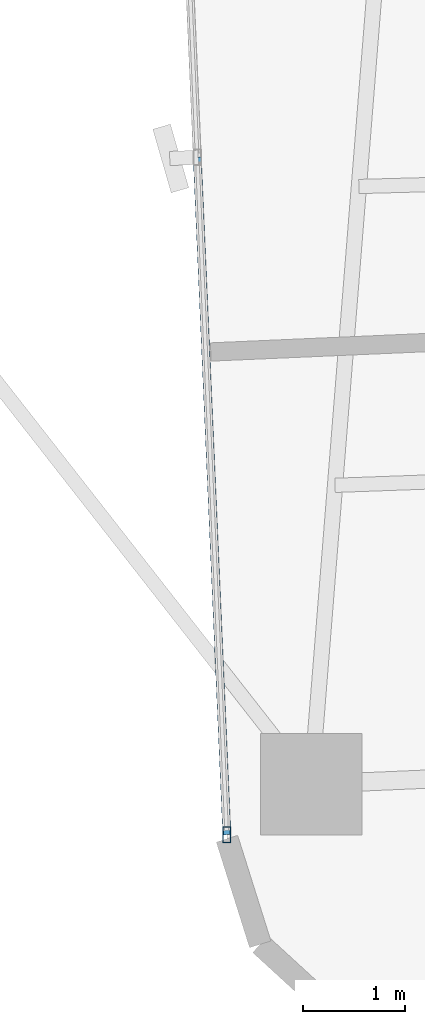
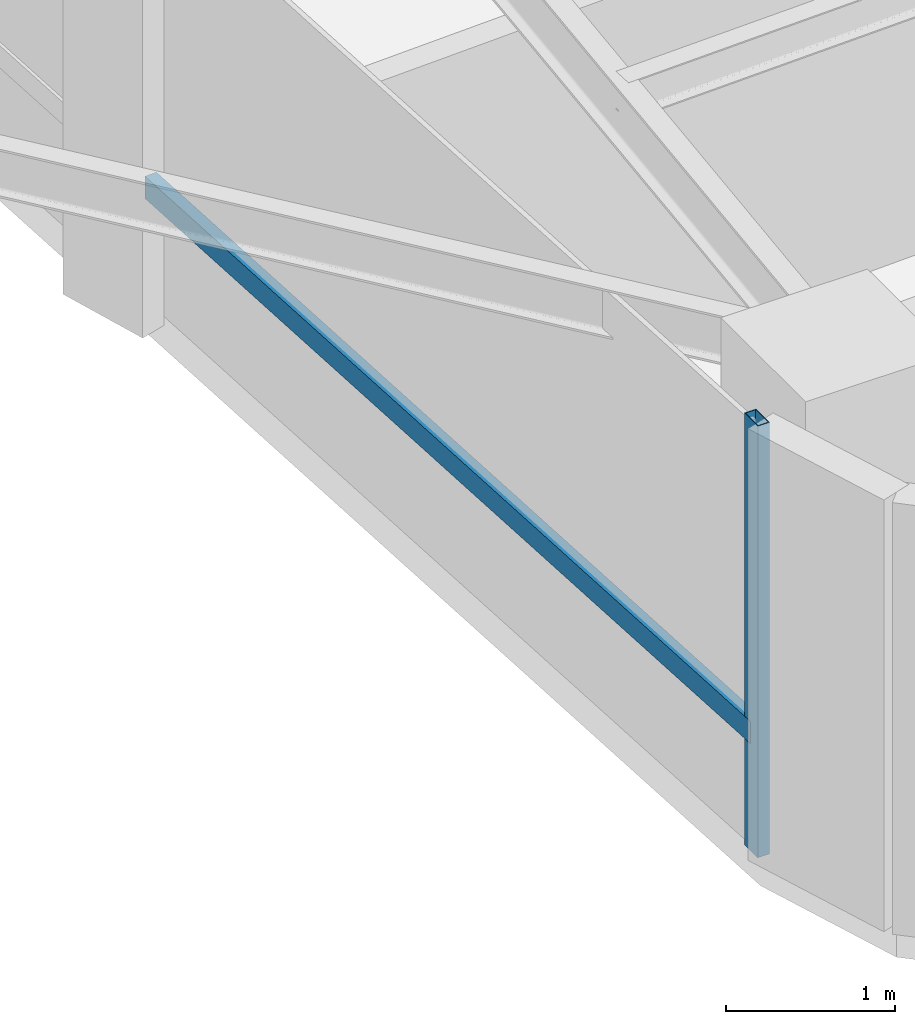
# One storey, part 2 of 26: 2 members, 1 element without a shape of its own.
"""IFC4 building model written with IfcOpenShell, lengths in metres."""

from ifc_helpers import new_model, si_unit, direction, frame, origin, origin_2d, place, context, subcontext, project, spatial, hollow_rectangle, extrude, source, transform, mapped, material, material_profile, profile_set, type_object, element, aggregate, save


model = new_model("IFC4")

# Units and contexts
model_context = context("Model", 3, precision=1e-05, world=origin(), true_north=direction((0.0, 1.0)))
body_context = subcontext(model_context, "Body", "Model", "MODEL_VIEW")
ifc_project = project(units=[si_unit("LENGTHUNIT", "METRE"), si_unit("AREAUNIT", "SQUARE_METRE"), si_unit("VOLUMEUNIT", "CUBIC_METRE"), si_unit("PLANEANGLEUNIT", "RADIAN"), si_unit("MASSUNIT", "GRAM", prefix="KILO")], contexts=[model_context])

# Site, building, storey
site_placement = place(None, origin())
site = spatial("IfcSite", under=ifc_project, at=site_placement, CompositionType="ELEMENT")
building_placement = place(site_placement, origin())
building = spatial("IfcBuilding", under=site, at=building_placement, Name="Sahyath Konkavel Grand Hotel", CompositionType="ELEMENT")
storey_placement = place(building_placement, frame((0.0, 0.0, 96.89990234375)))
storey = spatial("IfcBuildingStorey", under=building, at=storey_placement, Name="L26", CompositionType="ELEMENT", Elevation=96.89990234375)

# Curtain wall, members
ifc_material_1 = material(Name="Anodised Bronze Aluminium & Low-E Glazing", Category="aluminium")
curtain_wall_type = type_object("IfcCurtainWallType", Name="CW-ZONE2", PredefinedType="NOTDEFINED", material=ifc_material_1)
curtain_wall_placement = place(storey_placement, origin())
curtain_wall = element("IfcCurtainWall", 1, at=curtain_wall_placement, inside=storey, type_object=curtain_wall_type, Name="L26 Unitised Curtain Wall F24", PredefinedType="NOTDEFINED")
ifc_material_2 = material(Name="Anodised Bronze Aluminium", Category="aluminium")
ifc_material_profile_1 = material_profile(ifc_material_2, hollow_rectangle(XDim=0.080078125, YDim=0.159912109375, WallThickness=0.006103515625, at=origin_2d()), Name="RHS 160x80x6")
ifc_profile_set_1 = profile_set([ifc_material_profile_1], Name="Anodised Bronze Aluminium")
member_type_1 = type_object("IfcMemberType", Name="CW-MUL-160", PredefinedType="MULLION", material=ifc_profile_set_1)
shared_shape_1 = source(origin(), body_context, "Body", "SweptSolid", [
    extrude(hollow_rectangle(XDim=0.080078125, YDim=0.159912109375, WallThickness=0.006103515625, at=origin_2d()), origin(), (0.0, 0.0, 1.0), 3.110107421875),
])
member_1_placement = place(storey_placement, frame((-5.605224609375, -22.92626953125, 0.0), z_axis=(0.0, 0.0, 1.0), x_axis=(1.0, 0.0, 0.0)))
member_1 = element("IfcMember", 2, at=member_1_placement, type_object=member_type_1, Name="L26 Curtain Wall Mullion F24-2", PredefinedType="MULLION", context=body_context, shape_type="MappedRepresentation", body=[
    mapped(shared_shape_1, transform((0.0, 0.0, 0.0), scale=1.0)),
])
ifc_material_profile_2 = material_profile(ifc_material_2, hollow_rectangle(XDim=0.080078125, YDim=0.159912109375, WallThickness=0.006103515625, at=origin_2d()), Name="RHS 160x80x6")
ifc_profile_set_2 = profile_set([ifc_material_profile_2], Name="Anodised Bronze Aluminium")
member_type_2 = type_object("IfcMemberType", Name="CW-TRN-160", PredefinedType="USERDEFINED", material=ifc_profile_set_2)
shared_shape_2 = source(origin(), body_context, "Body", "SweptSolid", [
    extrude(hollow_rectangle(XDim=0.080078125, YDim=0.159912109375, WallThickness=0.006103515625, at=origin_2d()), origin(), (0.0, 0.0, 1.0), 6.659912109375),
])
member_2_placement = place(storey_placement, frame((-5.895751953125, -16.272705078125, 0.85009765625), z_axis=(0.043623350741, -0.999048048529, 0.0), x_axis=(0.999048048529, 0.043623350741, 0.0)))
member_2 = element("IfcMember", 3, at=member_2_placement, type_object=member_type_2, Name="L26 Curtain Wall Transom F24-1-spandrel", ObjectType="TRANSOM", PredefinedType="USERDEFINED", context=body_context, shape_type="MappedRepresentation", body=[
    mapped(shared_shape_2, transform((0.0, 0.0, 0.0), scale=1.0)),
])
aggregate(curtain_wall, [member_1, member_2])

save(model, "model.ifc")
